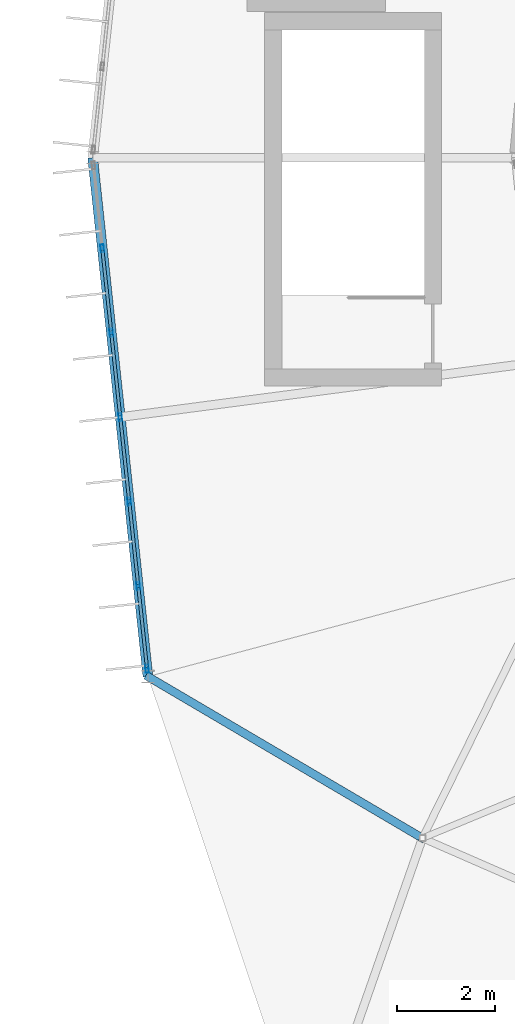
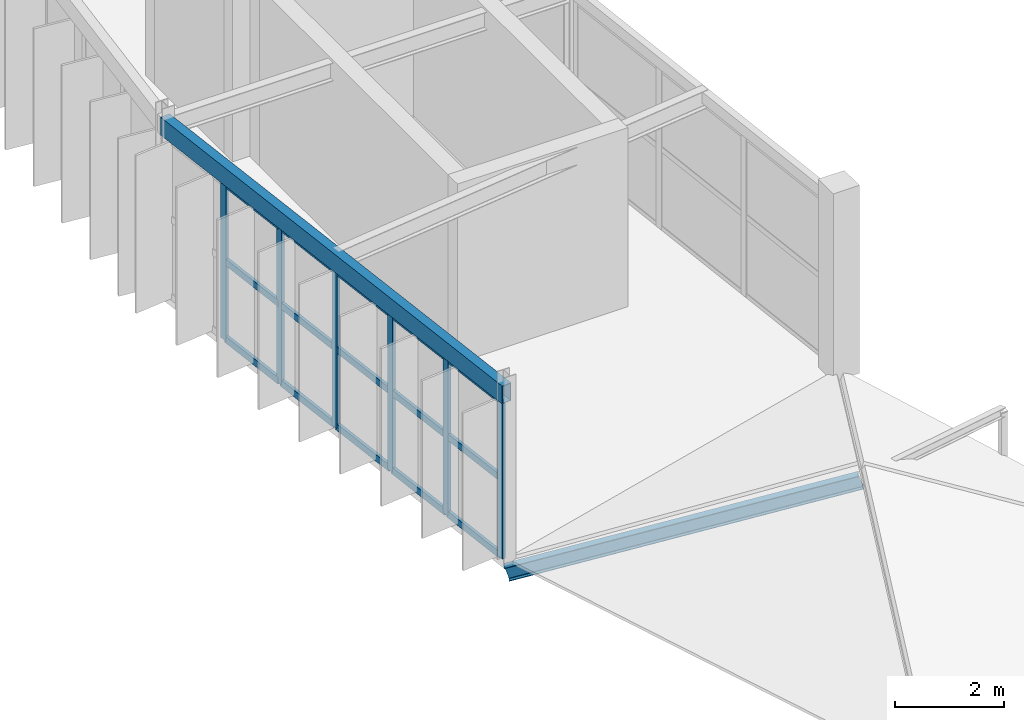
# One storey, part 26 of 106: 22 members, 1 beam, 1 element without a shape of its own.
"""IFC4 building model written with IfcOpenShell, lengths in metres."""

import ifcopenshell
import ifcopenshell.guid

model = None  # the IFC model being written
_history = None  # IfcOwnerHistory: only IFC2X3 demands one
_inside = {}  # id of a spatial element -> (the spatial element, [elements in it])
_under = {}  # id of a project, library or spatial element -> (it, [spatial elements below it])
_declared = {}  # id of a project -> (the project, [libraries it declares])
_typed = {}  # id of a type object -> (the type object, [elements of that type])
_made_of = {}  # id of a material, layer set ... -> (it, [elements and type objects made of it])


def new_model(schema):
    """Start an empty IFC model of exactly this schema.

    Asked for "IFC4X3", IfcOpenShell would pick the latest addendum, in which some entities
    have other attributes; the version numbers below select the first issue.
    IFC2X3 requires an IfcOwnerHistory on every rooted entity: one is made here for all.
    """
    global model, _history
    if schema == "IFC4X3":
        model = ifcopenshell.file(schema_version=(4, 3, 0, 0))
    else:
        model = ifcopenshell.file(schema=schema)
    _inside.clear()
    _under.clear()
    _declared.clear()
    _typed.clear()
    _made_of.clear()
    _history = None
    if model.schema == "IFC2X3":
        org = make("IfcOrganization", Name="unknown")
        user = make(
            "IfcPersonAndOrganization",
            ThePerson=make("IfcPerson", FamilyName="unknown"),
            TheOrganization=org,
        )
        app = make(
            "IfcApplication",
            ApplicationDeveloper=org,
            Version="unknown",
            ApplicationFullName="unknown",
            ApplicationIdentifier="unknown",
        )
        _history = make(
            "IfcOwnerHistory",
            OwningUser=user,
            OwningApplication=app,
            ChangeAction="ADDED",
            CreationDate=0,
        )
    return model


def make(cls, **values):
    """One entity of the class cls with the attributes given. An attribute that is None is left unset."""
    return model.create_entity(
        cls, **{name: value for name, value in values.items() if value is not None}
    )


def rooted(cls, **values):
    """An entity with a GlobalId (a new one), such as an element, a storey or a relation."""
    return make(cls, GlobalId=ifcopenshell.guid.new(), OwnerHistory=_history, **values)


def si_unit(unit_type, name, prefix=None):
    """IfcSIUnit, for example si_unit("LENGTHUNIT", "METRE", prefix="MILLI")."""
    return make("IfcSIUnit", UnitType=unit_type, Prefix=prefix, Name=name)


def assignment(units):
    """IfcUnitAssignment: the units of a project."""
    return None if units is None else make("IfcUnitAssignment", Units=units)


def point(xyz):
    """IfcCartesianPoint."""
    return None if xyz is None else make("IfcCartesianPoint", Coordinates=xyz)


def direction(xyz):
    """IfcDirection."""
    return None if xyz is None else make("IfcDirection", DirectionRatios=xyz)


def frame(location, z_axis=None, x_axis=None):
    """IfcAxis2Placement3D, a coordinate frame: its origin and axes. An axis left out is left unset."""
    return make(
        "IfcAxis2Placement3D",
        Location=point(location),
        Axis=direction(z_axis),
        RefDirection=direction(x_axis),
    )


def frame_2d(location, x_axis=None):
    """IfcAxis2Placement2D, a coordinate frame in the plane: its origin and x axis."""
    return make(
        "IfcAxis2Placement2D", Location=point(location), RefDirection=direction(x_axis)
    )


def origin():
    """The frame at (0, 0, 0) with its axes left unset."""
    return frame((0.0, 0.0, 0.0))


def origin_2d():
    """The frame at (0, 0) in the plane with its x axis left unset."""
    return frame_2d((0.0, 0.0))


def place(relative_to, where):
    """IfcLocalPlacement: puts the frame where relative to a parent placement (None: the world)."""
    return make(
        "IfcLocalPlacement", PlacementRelTo=relative_to, RelativePlacement=where
    )


def context(
    kind, dimensions, precision=None, world=None, true_north=None, identifier=None
):
    """IfcGeometricRepresentationContext, for example the 3D "Model" context."""
    return make(
        "IfcGeometricRepresentationContext",
        ContextIdentifier=identifier,
        ContextType=kind,
        CoordinateSpaceDimension=dimensions,
        Precision=precision,
        WorldCoordinateSystem=world,
        TrueNorth=true_north,
    )


def subcontext(parent, identifier, kind, view, scale=None):
    """IfcGeometricRepresentationSubContext, for example "Body" below "Model"."""
    return make(
        "IfcGeometricRepresentationSubContext",
        ContextIdentifier=identifier,
        ContextType=kind,
        ParentContext=parent,
        TargetScale=scale,
        TargetView=view,
    )


def project(units=None, contexts=None):
    """IfcProject with its units and contexts."""
    return rooted(
        "IfcProject",
        Name="project",
        RepresentationContexts=contexts,
        UnitsInContext=assignment(units),
    )


def spatial(cls, under=None, at=None, **own):
    """A site, building, storey or space (cls), placed at a placement, below another one or the project."""
    s = rooted(cls, ObjectPlacement=at, **own)
    if under is not None:
        _under.setdefault(under.id(), (under, []))[1].append(s)
    return s


def profile(cls, at=None, kind="AREA", **sizes):
    """A parametric profile (cls). Its sizes go by their IFC names, for example OverallWidth=200.0."""
    return make(cls, ProfileType=kind, Position=at, **sizes)


def hollow_rectangle(**sizes):
    """IfcRectangleHollowProfileDef."""
    return profile("IfcRectangleHollowProfileDef", **sizes)


def i_section(**sizes):
    """IfcIShapeProfileDef."""
    return profile("IfcIShapeProfileDef", **sizes)


def extrude(swept, where, along, depth):
    """IfcExtrudedAreaSolid: the profile swept, set in the frame where, extruded along a direction by depth."""
    return make(
        "IfcExtrudedAreaSolid",
        SweptArea=swept,
        Position=where,
        ExtrudedDirection=direction(along),
        Depth=depth,
    )


def shape(context_of_items, identifier, shape_type, items):
    """IfcShapeRepresentation: the items that make up one representation, for example the "Body"."""
    return make(
        "IfcShapeRepresentation",
        ContextOfItems=context_of_items,
        RepresentationIdentifier=identifier,
        RepresentationType=shape_type,
        Items=items,
    )


def material(Name=None, Category=None):
    """IfcMaterial."""
    return make("IfcMaterial", Name=Name, Category=Category)


def material_profile(
    of_material, cross_section, Name=None, Category=None, Priority=None
):
    """IfcMaterialProfile: a cross section and its material."""
    return make(
        "IfcMaterialProfile",
        Name=Name,
        Material=of_material,
        Profile=cross_section,
        Priority=Priority,
        Category=Category,
    )


def profile_set(profiles, Name=None, composite=None):
    """IfcMaterialProfileSet."""
    return make(
        "IfcMaterialProfileSet",
        Name=Name,
        MaterialProfiles=profiles,
        CompositeProfile=composite,
    )


def made_of(thing, what):
    """Note that an element or type object is made of a material, layer set ...; save() writes the relation."""
    if what is not None:
        _made_of.setdefault(what.id(), (what, []))[1].append(thing)
    return thing


def type_object(cls, material=None, **own):
    """A type object (cls), such as IfcWallType, which elements share."""
    return made_of(rooted(cls, **own), material)


def element(
    cls,
    number,
    at=None,
    inside=None,
    cuts=None,
    type_object=None,
    material=None,
    context=None,
    identifier="Body",
    shape_type=None,
    held_by="IfcProductDefinitionShape",
    body=None,
    shapes=None,
    **own,
):
    """One element of the class cls, such as IfcWall. Its Tag is "e" and its number.

    at: its placement. inside: the storey or other place that contains it. cuts: it is an
    opening in that element (IfcRelVoidsElement). A single representation is given by context,
    identifier, shape_type and body (its items); several are given by shapes. held_by: the class
    of the entity that holds the representations. save() writes the other relations.
    """
    e = rooted(cls, Tag="e%d" % number, ObjectPlacement=at, **own)
    if body is not None:
        shapes = [shape(context, identifier, shape_type, body)]
    if shapes is not None:
        e.Representation = make(held_by, Representations=shapes)
    if inside is not None:
        _inside.setdefault(inside.id(), (inside, []))[1].append(e)
    if cuts is not None:
        rooted(
            "IfcRelVoidsElement", RelatingBuildingElement=cuts, RelatedOpeningElement=e
        )
    if type_object is not None:
        _typed.setdefault(type_object.id(), (type_object, []))[1].append(e)
    return made_of(e, material)


def aggregate(whole, parts):
    """IfcRelAggregates: a whole, such as a stair, and the parts it consists of."""
    return rooted("IfcRelAggregates", RelatingObject=whole, RelatedObjects=parts)


def save(model, path):
    """Write the relations noted so far, then the file.

    IfcRelAggregates (storeys below a building ...), IfcRelContainedInSpatialStructure (elements
    in a storey), IfcRelDefinesByType, IfcRelAssociatesMaterial and IfcRelDeclares: one each for
    every whole, place, type object, material and project.
    """
    for whole, parts in _under.values():
        aggregate(whole, parts)
    for where, things in _inside.values():
        rooted(
            "IfcRelContainedInSpatialStructure",
            RelatedElements=things,
            RelatingStructure=where,
        )
    for kind, things in _typed.values():
        rooted("IfcRelDefinesByType", RelatedObjects=things, RelatingType=kind)
    for what, things in _made_of.values():
        rooted("IfcRelAssociatesMaterial", RelatedObjects=things, RelatingMaterial=what)
    for by, libraries in _declared.values():
        rooted("IfcRelDeclares", RelatingContext=by, RelatedDefinitions=libraries)
    model.write(path)


model = new_model("IFC4")

# Units and contexts
model_context = context("Model", 3, precision=1e-05, world=origin(), true_north=direction((0.0, 1.0)))
body_context = subcontext(model_context, "Body", "Model", "MODEL_VIEW")
ifc_project = project(units=[si_unit("LENGTHUNIT", "METRE"), si_unit("AREAUNIT", "SQUARE_METRE"), si_unit("VOLUMEUNIT", "CUBIC_METRE"), si_unit("PLANEANGLEUNIT", "RADIAN"), si_unit("MASSUNIT", "GRAM", prefix="KILO")], contexts=[model_context])

# Site, building, storey
site_placement = place(None, origin())
site = spatial("IfcSite", under=ifc_project, at=site_placement, CompositionType="ELEMENT")
building_placement = place(site_placement, origin())
building = spatial("IfcBuilding", under=site, at=building_placement, Name="Karori Crest Natural Sciences Institute", CompositionType="ELEMENT")
storey_placement = place(building_placement, frame((0.0, 0.0, 25.89990234375)))
storey = spatial("IfcBuildingStorey", under=building, at=storey_placement, Name="L06", CompositionType="ELEMENT", Elevation=25.89990234375)

# Beam
ifc_material_1 = material(Name="Hollow structural steel AS/NZS 1163 Grade C350", Category="steel")
ifc_material_profile_1 = material_profile(ifc_material_1, hollow_rectangle(XDim=0.199951171875, YDim=0.39990234375, WallThickness=0.012451171875, at=origin_2d()), Name="RHS400x200x12.5")
ifc_profile_set_1 = profile_set([ifc_material_profile_1], Name="Hollow structural steel AS/NZS 1163 Grade C350")
beam_type = type_object("IfcBeamType", Name="BT-14", PredefinedType="SPANDREL", material=ifc_profile_set_1)
beam_placement = place(storey_placement, frame((33.39990234375, 49.89990234375, 3.739990234375), z_axis=(0.105891010563, -0.994377742049, 0.0), x_axis=(0.994377742049, 0.105891010563, 0.0)))
element("IfcBeam", 1, at=beam_placement, inside=storey, type_object=beam_type, Name="Beam B-0680", PredefinedType="SPANDREL", context=body_context, shape_type="SweptSolid", body=[
    extrude(hollow_rectangle(XDim=0.199951171875, YDim=0.39990234375, WallThickness=0.012451171875, at=origin_2d()), origin(), (0.0, 0.0, 1.0), 10.61962890625),
])

# Curtain wall, members
ifc_material_2 = material(Name="Anodised architectural aluminium 6063-T6", Category="aluminium")
curtain_wall_type = type_object("IfcCurtainWallType", Name="CWT-03", PredefinedType="NOTDEFINED", material=ifc_material_2)
curtain_wall_placement = place(storey_placement, origin())
curtain_wall = element("IfcCurtainWall", 2, at=curtain_wall_placement, inside=storey, type_object=curtain_wall_type, Name="Curtain wall CW-0238", PredefinedType="NOTDEFINED")
ifc_material_profile_2 = material_profile(ifc_material_2, hollow_rectangle(XDim=0.06494140625, YDim=0.159912109375, WallThickness=0.00390625, at=origin_2d()), Name="CWM160x65x4")
ifc_profile_set_2 = profile_set([ifc_material_profile_2], Name="Anodised architectural aluminium 6063-T6")
member_type_1 = type_object("IfcMemberType", Name="CWM-01", PredefinedType="MULLION", material=ifc_profile_set_2)
member_1_placement = place(storey_placement, frame((34.507568359375, 39.49755859375, 0.0), z_axis=(0.0, 0.0, 1.0), x_axis=(-0.994378435661, -0.105884496939, 0.0)))
member_1 = element("IfcMember", 3, at=member_1_placement, type_object=member_type_1, Name="CW-0238 mullion 1", PredefinedType="MULLION", context=body_context, shape_type="SweptSolid", body=[
    extrude(hollow_rectangle(XDim=0.06494140625, YDim=0.159912109375, WallThickness=0.00390625, at=origin_2d()), origin(), (0.0, 0.0, 1.0), 3.525146484375),
])
member_2_placement = place(storey_placement, frame((34.328125, 41.18310546875, 0.0), z_axis=(0.0, 0.0, 1.0), x_axis=(-0.994378435661, -0.105884496939, 0.0)))
member_2 = element("IfcMember", 4, at=member_2_placement, type_object=member_type_1, Name="CW-0238 mullion 2", PredefinedType="MULLION", context=body_context, shape_type="SweptSolid", body=[
    extrude(hollow_rectangle(XDim=0.06494140625, YDim=0.159912109375, WallThickness=0.00390625, at=origin_2d()), origin(), (0.0, 0.0, 1.0), 3.525146484375),
])
member_3_placement = place(storey_placement, frame((34.145263671875, 42.90087890625, 0.0), z_axis=(0.0, 0.0, 1.0), x_axis=(-0.994378435661, -0.105884496939, 0.0)))
member_3 = element("IfcMember", 5, at=member_3_placement, type_object=member_type_1, Name="CW-0238 mullion 3", PredefinedType="MULLION", context=body_context, shape_type="SweptSolid", body=[
    extrude(hollow_rectangle(XDim=0.06494140625, YDim=0.159912109375, WallThickness=0.00390625, at=origin_2d()), origin(), (0.0, 0.0, 1.0), 3.525146484375),
])
member_4_placement = place(storey_placement, frame((33.96240234375, 44.61865234375, 0.0), z_axis=(0.0, 0.0, 1.0), x_axis=(-0.994378435661, -0.105884496939, 0.0)))
member_4 = element("IfcMember", 6, at=member_4_placement, type_object=member_type_1, Name="CW-0238 mullion 4", PredefinedType="MULLION", context=body_context, shape_type="SweptSolid", body=[
    extrude(hollow_rectangle(XDim=0.06494140625, YDim=0.159912109375, WallThickness=0.00390625, at=origin_2d()), origin(), (0.0, 0.0, 1.0), 3.525146484375),
])
member_5_placement = place(storey_placement, frame((33.779541015625, 46.33642578125, 0.0), z_axis=(0.0, 0.0, 1.0), x_axis=(-0.994378435661, -0.105884496939, 0.0)))
member_5 = element("IfcMember", 7, at=member_5_placement, type_object=member_type_1, Name="CW-0238 mullion 5", PredefinedType="MULLION", context=body_context, shape_type="SweptSolid", body=[
    extrude(hollow_rectangle(XDim=0.06494140625, YDim=0.159912109375, WallThickness=0.00390625, at=origin_2d()), origin(), (0.0, 0.0, 1.0), 3.525146484375),
])
member_6_placement = place(storey_placement, frame((33.596435546875, 48.05419921875, 0.0), z_axis=(0.0, 0.0, 1.0), x_axis=(-0.994378435661, -0.105884496939, 0.0)))
member_6 = element("IfcMember", 8, at=member_6_placement, type_object=member_type_1, Name="CW-0238 mullion 6", PredefinedType="MULLION", context=body_context, shape_type="SweptSolid", body=[
    extrude(hollow_rectangle(XDim=0.06494140625, YDim=0.159912109375, WallThickness=0.00390625, at=origin_2d()), origin(), (0.0, 0.0, 1.0), 3.525146484375),
])
ifc_material_profile_3 = material_profile(ifc_material_2, hollow_rectangle(XDim=0.06494140625, YDim=0.14990234375, WallThickness=0.00390625, at=origin_2d()), Name="CWT150x65x4")
ifc_profile_set_3 = profile_set([ifc_material_profile_3], Name="Anodised architectural aluminium 6063-T6")
member_type_2 = type_object("IfcMemberType", Name="CWT-TR2", PredefinedType="USERDEFINED", material=ifc_profile_set_3)
member_7_placement = place(storey_placement, frame((34.504150390625, 39.52978515625, 0.03271484375), z_axis=(-0.105893191658, 0.994377509782, 0.0), x_axis=(-0.994377509782, -0.105893191658, 0.0)))
member_7 = element("IfcMember", 9, at=member_7_placement, type_object=member_type_2, Name="CW-0238 transom 1.1", ObjectType="TRANSOM", PredefinedType="USERDEFINED", context=body_context, shape_type="SweptSolid", body=[
    extrude(hollow_rectangle(XDim=0.06494140625, YDim=0.14990234375, WallThickness=0.00390625, at=origin_2d()), origin(), (0.0, 0.0, 1.0), 1.630126953125),
])
member_8_placement = place(storey_placement, frame((34.504150390625, 39.52978515625, 1.7626953125), z_axis=(-0.105893191658, 0.994377509782, 0.0), x_axis=(-0.994377509782, -0.105893191658, 0.0)))
member_8 = element("IfcMember", 10, at=member_8_placement, type_object=member_type_2, Name="CW-0238 transom 1.2", ObjectType="TRANSOM", PredefinedType="USERDEFINED", context=body_context, shape_type="SweptSolid", body=[
    extrude(hollow_rectangle(XDim=0.06494140625, YDim=0.14990234375, WallThickness=0.00390625, at=origin_2d()), origin(), (0.0, 0.0, 1.0), 1.630126953125),
])
member_9_placement = place(storey_placement, frame((34.504150390625, 39.52978515625, 3.49267578125), z_axis=(-0.105893191658, 0.994377509782, 0.0), x_axis=(-0.994377509782, -0.105893191658, 0.0)))
member_9 = element("IfcMember", 11, at=member_9_placement, type_object=member_type_2, Name="CW-0238 transom 1.3", ObjectType="TRANSOM", PredefinedType="USERDEFINED", context=body_context, shape_type="SweptSolid", body=[
    extrude(hollow_rectangle(XDim=0.06494140625, YDim=0.14990234375, WallThickness=0.00390625, at=origin_2d()), origin(), (0.0, 0.0, 1.0), 1.630126953125),
])
member_10_placement = place(storey_placement, frame((34.32470703125, 41.21533203125, 0.03271484375), z_axis=(-0.105884923842, 0.994378390203, 0.0), x_axis=(-0.994378390203, -0.105884923842, 0.0)))
member_10 = element("IfcMember", 12, at=member_10_placement, type_object=member_type_2, Name="CW-0238 transom 2.1", ObjectType="TRANSOM", PredefinedType="USERDEFINED", context=body_context, shape_type="SweptSolid", body=[
    extrude(hollow_rectangle(XDim=0.06494140625, YDim=0.14990234375, WallThickness=0.00390625, at=origin_2d()), origin(), (0.0, 0.0, 1.0), 1.662353515625),
])
member_11_placement = place(storey_placement, frame((34.32470703125, 41.21533203125, 1.7626953125), z_axis=(-0.105884923842, 0.994378390203, 0.0), x_axis=(-0.994378390203, -0.105884923842, 0.0)))
member_11 = element("IfcMember", 13, at=member_11_placement, type_object=member_type_2, Name="CW-0238 transom 2.2", ObjectType="TRANSOM", PredefinedType="USERDEFINED", context=body_context, shape_type="SweptSolid", body=[
    extrude(hollow_rectangle(XDim=0.06494140625, YDim=0.14990234375, WallThickness=0.00390625, at=origin_2d()), origin(), (0.0, 0.0, 1.0), 1.662353515625),
])
member_12_placement = place(storey_placement, frame((34.32470703125, 41.21533203125, 3.49267578125), z_axis=(-0.105884923842, 0.994378390203, 0.0), x_axis=(-0.994378390203, -0.105884923842, 0.0)))
member_12 = element("IfcMember", 14, at=member_12_placement, type_object=member_type_2, Name="CW-0238 transom 2.3", ObjectType="TRANSOM", PredefinedType="USERDEFINED", context=body_context, shape_type="SweptSolid", body=[
    extrude(hollow_rectangle(XDim=0.06494140625, YDim=0.14990234375, WallThickness=0.00390625, at=origin_2d()), origin(), (0.0, 0.0, 1.0), 1.662353515625),
])
member_13_placement = place(storey_placement, frame((34.141845703125, 42.93310546875, 0.03271484375), z_axis=(-0.105884923842, 0.994378390203, 0.0), x_axis=(-0.994378390203, -0.105884923842, 0.0)))
member_13 = element("IfcMember", 15, at=member_13_placement, type_object=member_type_2, Name="CW-0238 transom 3.1", ObjectType="TRANSOM", PredefinedType="USERDEFINED", context=body_context, shape_type="SweptSolid", body=[
    extrude(hollow_rectangle(XDim=0.06494140625, YDim=0.14990234375, WallThickness=0.00390625, at=origin_2d()), origin(), (0.0, 0.0, 1.0), 1.662353515625),
])
member_14_placement = place(storey_placement, frame((34.141845703125, 42.93310546875, 1.7626953125), z_axis=(-0.105884923842, 0.994378390203, 0.0), x_axis=(-0.994378390203, -0.105884923842, 0.0)))
member_14 = element("IfcMember", 16, at=member_14_placement, type_object=member_type_2, Name="CW-0238 transom 3.2", ObjectType="TRANSOM", PredefinedType="USERDEFINED", context=body_context, shape_type="SweptSolid", body=[
    extrude(hollow_rectangle(XDim=0.06494140625, YDim=0.14990234375, WallThickness=0.00390625, at=origin_2d()), origin(), (0.0, 0.0, 1.0), 1.662353515625),
])
member_15_placement = place(storey_placement, frame((34.141845703125, 42.93310546875, 3.49267578125), z_axis=(-0.105884923842, 0.994378390203, 0.0), x_axis=(-0.994378390203, -0.105884923842, 0.0)))
member_15 = element("IfcMember", 17, at=member_15_placement, type_object=member_type_2, Name="CW-0238 transom 3.3", ObjectType="TRANSOM", PredefinedType="USERDEFINED", context=body_context, shape_type="SweptSolid", body=[
    extrude(hollow_rectangle(XDim=0.06494140625, YDim=0.14990234375, WallThickness=0.00390625, at=origin_2d()), origin(), (0.0, 0.0, 1.0), 1.662353515625),
])
member_16_placement = place(storey_placement, frame((33.958984375, 44.65087890625, 0.03271484375), z_axis=(-0.105869463411, 0.994380036363, 0.0), x_axis=(-0.994380036363, -0.105869463411, 0.0)))
member_16 = element("IfcMember", 18, at=member_16_placement, type_object=member_type_2, Name="CW-0238 transom 4.1", ObjectType="TRANSOM", PredefinedType="USERDEFINED", context=body_context, shape_type="SweptSolid", body=[
    extrude(hollow_rectangle(XDim=0.06494140625, YDim=0.14990234375, WallThickness=0.00390625, at=origin_2d()), origin(), (0.0, 0.0, 1.0), 1.66259765625),
])
member_17_placement = place(storey_placement, frame((33.958984375, 44.65087890625, 1.7626953125), z_axis=(-0.105869463411, 0.994380036363, 0.0), x_axis=(-0.994380036363, -0.105869463411, 0.0)))
member_17 = element("IfcMember", 19, at=member_17_placement, type_object=member_type_2, Name="CW-0238 transom 4.2", ObjectType="TRANSOM", PredefinedType="USERDEFINED", context=body_context, shape_type="SweptSolid", body=[
    extrude(hollow_rectangle(XDim=0.06494140625, YDim=0.14990234375, WallThickness=0.00390625, at=origin_2d()), origin(), (0.0, 0.0, 1.0), 1.66259765625),
])
member_18_placement = place(storey_placement, frame((33.958984375, 44.65087890625, 3.49267578125), z_axis=(-0.105869463411, 0.994380036363, 0.0), x_axis=(-0.994380036363, -0.105869463411, 0.0)))
member_18 = element("IfcMember", 20, at=member_18_placement, type_object=member_type_2, Name="CW-0238 transom 4.3", ObjectType="TRANSOM", PredefinedType="USERDEFINED", context=body_context, shape_type="SweptSolid", body=[
    extrude(hollow_rectangle(XDim=0.06494140625, YDim=0.14990234375, WallThickness=0.00390625, at=origin_2d()), origin(), (0.0, 0.0, 1.0), 1.66259765625),
])
member_19_placement = place(storey_placement, frame((33.77587890625, 46.36865234375, 0.03271484375), z_axis=(-0.105869463411, 0.994380036363, 0.0), x_axis=(-0.994380036363, -0.105869463411, 0.0)))
member_19 = element("IfcMember", 21, at=member_19_placement, type_object=member_type_2, Name="CW-0238 transom 5.1", ObjectType="TRANSOM", PredefinedType="USERDEFINED", context=body_context, shape_type="SweptSolid", body=[
    extrude(hollow_rectangle(XDim=0.06494140625, YDim=0.14990234375, WallThickness=0.00390625, at=origin_2d()), origin(), (0.0, 0.0, 1.0), 1.66259765625),
])
member_20_placement = place(storey_placement, frame((33.77587890625, 46.36865234375, 1.7626953125), z_axis=(-0.105869463411, 0.994380036363, 0.0), x_axis=(-0.994380036363, -0.105869463411, 0.0)))
member_20 = element("IfcMember", 22, at=member_20_placement, type_object=member_type_2, Name="CW-0238 transom 5.2", ObjectType="TRANSOM", PredefinedType="USERDEFINED", context=body_context, shape_type="SweptSolid", body=[
    extrude(hollow_rectangle(XDim=0.06494140625, YDim=0.14990234375, WallThickness=0.00390625, at=origin_2d()), origin(), (0.0, 0.0, 1.0), 1.66259765625),
])
member_21_placement = place(storey_placement, frame((33.77587890625, 46.36865234375, 3.49267578125), z_axis=(-0.105869463411, 0.994380036363, 0.0), x_axis=(-0.994380036363, -0.105869463411, 0.0)))
member_21 = element("IfcMember", 23, at=member_21_placement, type_object=member_type_2, Name="CW-0238 transom 5.3", ObjectType="TRANSOM", PredefinedType="USERDEFINED", context=body_context, shape_type="SweptSolid", body=[
    extrude(hollow_rectangle(XDim=0.06494140625, YDim=0.14990234375, WallThickness=0.00390625, at=origin_2d()), origin(), (0.0, 0.0, 1.0), 1.66259765625),
])
aggregate(curtain_wall, [member_1, member_2, member_3, member_4, member_5, member_6, member_7, member_8, member_9, member_10, member_11, member_12, member_13, member_14, member_15, member_16, member_17, member_18, member_19, member_20, member_21])

# Member
ifc_material_3 = material(Name="Structural steel AS/NZS 3679.1 Grade 350", Category="steel")
ifc_material_profile_4 = material_profile(ifc_material_3, i_section(OverallWidth=0.166015625, OverallDepth=0.306884765625, WebThickness=0.006591796875, FlangeThickness=0.01171875, FilletRadius=0.010986328125, at=origin_2d()), Name="310UB46.2")
ifc_profile_set_4 = profile_set([ifc_material_profile_4], Name="Structural steel AS/NZS 3679.1 Grade 350")
member_type_3 = type_object("IfcMemberType", Name="MT-06", PredefinedType="RAFTER", material=ifc_profile_set_4)
member_22_placement = place(storey_placement, frame((34.5244140625, 39.340087890625, -0.260009765625), z_axis=(0.820001523035, -0.482648919173, 0.307648375651), x_axis=(0.507250508331, 0.861798655022, 0.0)))
element("IfcMember", 24, at=member_22_placement, inside=storey, type_object=member_type_3, Name="Member M-0122", PredefinedType="RAFTER", context=body_context, shape_type="SweptSolid", body=[
    extrude(i_section(OverallWidth=0.166015625, OverallDepth=0.306884765625, WebThickness=0.006591796875, FlangeThickness=0.01171875, FilletRadius=0.010986328125, at=origin_2d()), origin(), (0.0, 0.0, 1.0), 6.8134765625),
])

save(model, "model.ifc")
